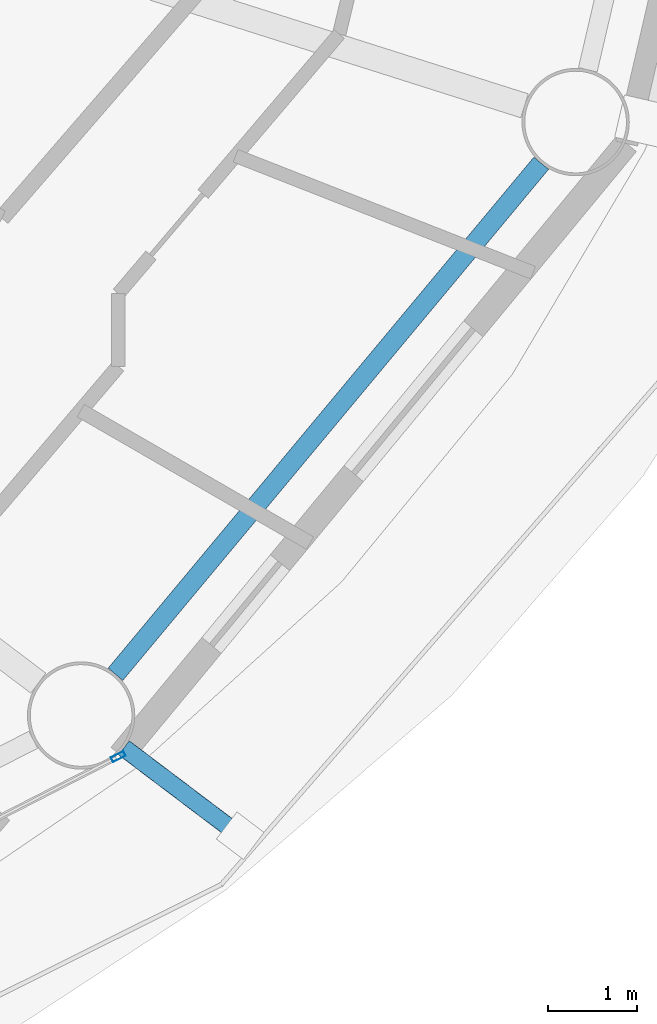
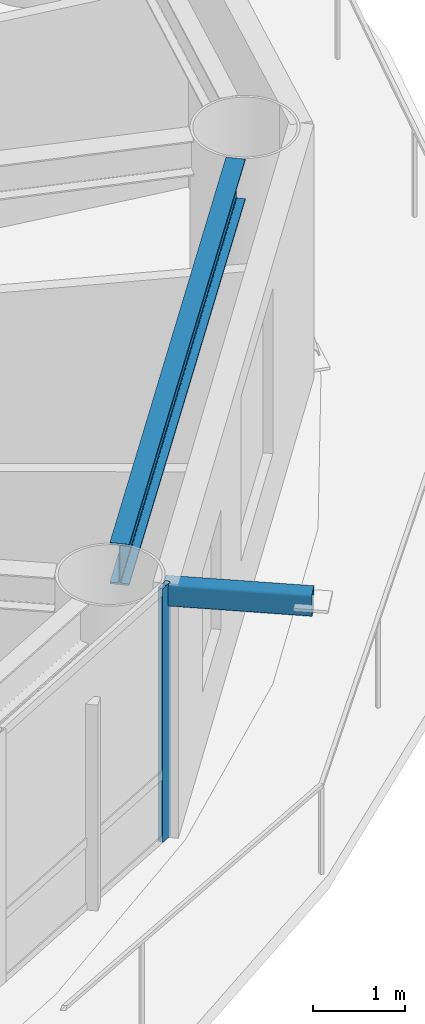
# One storey, part 7 of 28: 2 members, 1 beam, 1 element without a shape of its own.
"""IFC4 building model written with IfcOpenShell, lengths in metres."""

from ifc_helpers import new_model, si_unit, direction, frame, origin, origin_2d, place, context, subcontext, project, spatial, hollow_rectangle, i_section, extrude, material, layer, layer_set, material_profile, profile_set, type_object, element, aggregate, save


model = new_model("IFC4")

# Units and contexts
model_context = context("Model", 3, precision=1e-05, world=origin(), true_north=direction((0.0, 1.0)))
body_context = subcontext(model_context, "Body", "Model", "MODEL_VIEW")
ifc_project = project(units=[si_unit("LENGTHUNIT", "METRE"), si_unit("AREAUNIT", "SQUARE_METRE"), si_unit("VOLUMEUNIT", "CUBIC_METRE"), si_unit("PLANEANGLEUNIT", "RADIAN"), si_unit("MASSUNIT", "GRAM", prefix="KILO")], contexts=[model_context])

# Site, building, storey
site_placement = place(None, origin())
site = spatial("IfcSite", under=ifc_project, at=site_placement, CompositionType="ELEMENT")
building_placement = place(site_placement, origin())
building = spatial("IfcBuilding", under=site, at=building_placement, Name="Sarneth Arch Tower", CompositionType="ELEMENT")
storey_placement = place(building_placement, frame((0.0, 0.0, 190.199951171875)))
storey = spatial("IfcBuildingStorey", under=building, at=storey_placement, Name="L48", CompositionType="ELEMENT", Elevation=190.199951171875)

# Beam
ifc_material_1 = material(Name="Steel S355", Category="steel")
ifc_material_profile_1 = material_profile(ifc_material_1, i_section(OverallWidth=0.214111328125, OverallDepth=0.549072265625, WebThickness=0.0146484375, FlangeThickness=0.023681640625, FilletRadius=0.01806640625, at=origin_2d()), Name="W530x138")
ifc_profile_set_1 = profile_set([ifc_material_profile_1], Name="Steel S355")
beam_type = type_object("IfcBeamType", Name="BM-RAD-530A", PredefinedType="BEAM", material=ifc_profile_set_1)
beam_placement = place(storey_placement, frame((67.517822265625, 28.00048828125, 3.10546875), z_axis=(0.640161793626, 0.768240117399, 0.0), x_axis=(-0.768240117399, 0.640161793626, 0.0)))
element("IfcBeam", 1, at=beam_placement, inside=storey, type_object=beam_type, Name="L48 Perimeter spandrel beam 15", PredefinedType="BEAM", context=body_context, shape_type="SweptSolid", body=[
    extrude(i_section(OverallWidth=0.214111328125, OverallDepth=0.549072265625, WebThickness=0.0146484375, FlangeThickness=0.023681640625, FilletRadius=0.01806640625, at=origin_2d()), origin(), (0.0, 0.0, 1.0), 7.43603515625),
])

# Curtain wall, member
ifc_material_2 = material(Name="Anodised aluminium Type AA25 and solar-control low-e laminated IGU", Category="aluminium")
ifc_layer = layer(ifc_material_2, 0.169921875)
ifc_layer_set = layer_set([ifc_layer], Name="Anodised aluminium Type AA25 and solar-control low-e laminated IGU")
curtain_wall_type = type_object("IfcCurtainWallType", Name="CW-RES-MID", PredefinedType="NOTDEFINED", material=ifc_layer_set)
curtain_wall_placement = place(storey_placement, origin())
curtain_wall = element("IfcCurtainWall", 2, at=curtain_wall_placement, inside=storey, type_object=curtain_wall_type, Name="L48 Unitised curtain wall facet 14", PredefinedType="NOTDEFINED")
ifc_material_3 = material(Name="Anodised Aluminium 6063-T6", Category="aluminium")
ifc_material_profile_2 = material_profile(ifc_material_3, hollow_rectangle(XDim=0.06005859375, YDim=0.159912109375, WallThickness=0.00390625, at=origin_2d()), Name="AL-MULL-160x60x4")
ifc_profile_set_2 = profile_set([ifc_material_profile_2], Name="Anodised Aluminium 6063-T6")
member_type_1 = type_object("IfcMemberType", Name="CW-MULLION", PredefinedType="MULLION", material=ifc_profile_set_2)
member_1_placement = place(storey_placement, frame((67.549560546875, 27.08056640625, 0.0), z_axis=(0.0, 0.0, 1.0), x_axis=(-0.456208470329, 0.88987293003, 0.0)))
member_1 = element("IfcMember", 3, at=member_1_placement, type_object=member_type_1, Name="CW-SYS-5 mullion 4", PredefinedType="MULLION", context=body_context, shape_type="SweptSolid", body=[
    extrude(hollow_rectangle(XDim=0.06005859375, YDim=0.159912109375, WallThickness=0.00390625, at=origin_2d()), origin(), (0.0, 0.0, 1.0), 3.380126953125),
])
aggregate(curtain_wall, [member_1])

# Member
ifc_material_4 = material(Name="Steel S355", Category="steel")
ifc_material_profile_3 = material_profile(ifc_material_4, hollow_rectangle(XDim=0.199951171875, YDim=0.300048828125, WallThickness=0.012451171875, InnerFilletRadius=0.018798828125, OuterFilletRadius=0.03125, at=origin_2d()), Name="RHS300x200x12.5")
ifc_profile_set_3 = profile_set([ifc_material_profile_3], Name="Steel S355")
member_type_2 = type_object("IfcMemberType", Name="MEM-CANT-STRUT", PredefinedType="STRUT", material=ifc_profile_set_3)
member_2_placement = place(storey_placement, frame((67.612548828125, 27.177978515625, 3.219970703125), z_axis=(0.797764810457, -0.602968744793, 0.0), x_axis=(0.602968744793, 0.797764810457, 0.0)))
element("IfcMember", 4, at=member_2_placement, inside=storey, type_object=member_type_2, Name="L48 Balcony cantilever bracket 15", PredefinedType="STRUT", context=body_context, shape_type="SweptSolid", body=[
    extrude(hollow_rectangle(XDim=0.199951171875, YDim=0.300048828125, WallThickness=0.012451171875, InnerFilletRadius=0.018798828125, OuterFilletRadius=0.03125, at=origin_2d()), origin(), (0.0, 0.0, 1.0), 1.62939453125),
])

save(model, "model.ifc")
